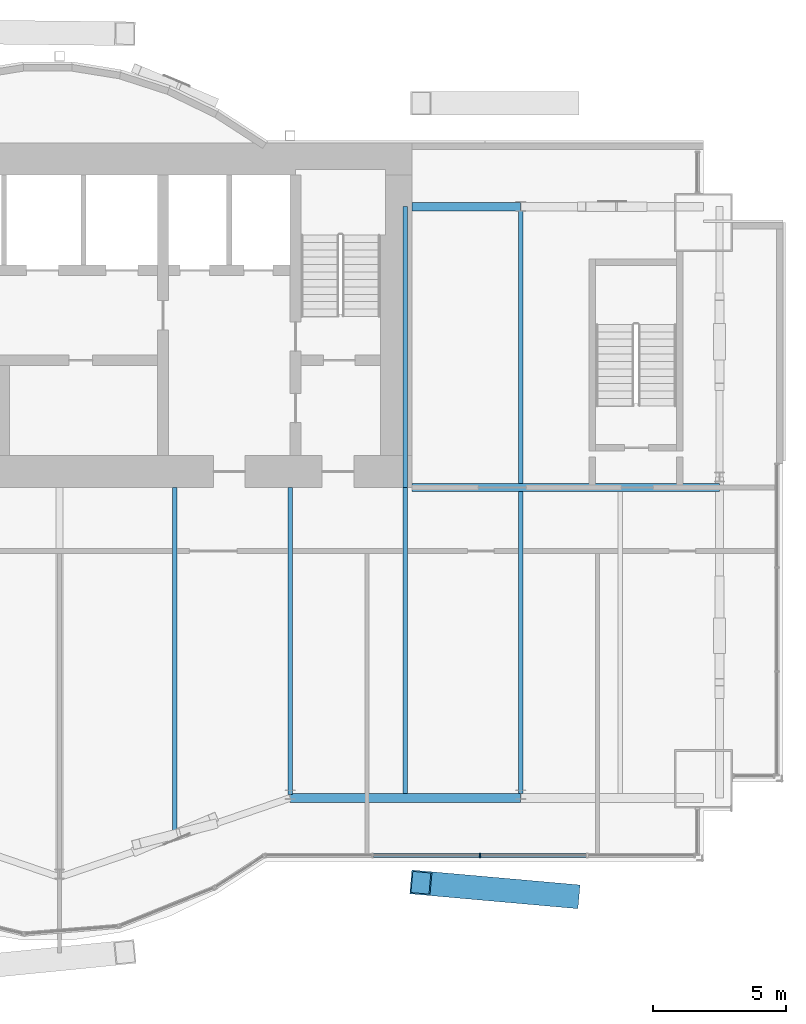
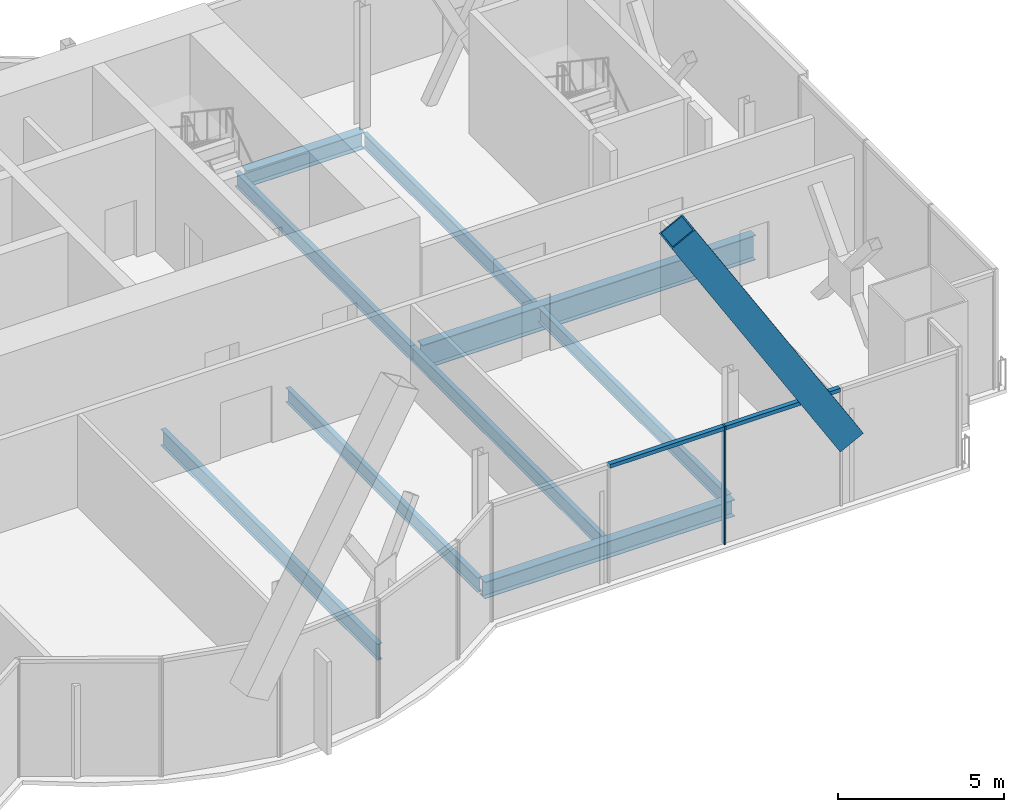
# One storey, part 9 of 19: 9 beams, 4 members, 1 element without a shape of its own.
"""IFC4 building model written with IfcOpenShell, lengths in metres."""

import ifcopenshell
import ifcopenshell.guid

model = None  # the IFC model being written
_history = None  # IfcOwnerHistory: only IFC2X3 demands one
_inside = {}  # id of a spatial element -> (the spatial element, [elements in it])
_under = {}  # id of a project, library or spatial element -> (it, [spatial elements below it])
_declared = {}  # id of a project -> (the project, [libraries it declares])
_typed = {}  # id of a type object -> (the type object, [elements of that type])
_made_of = {}  # id of a material, layer set ... -> (it, [elements and type objects made of it])


def new_model(schema):
    """Start an empty IFC model of exactly this schema.

    Asked for "IFC4X3", IfcOpenShell would pick the latest addendum, in which some entities
    have other attributes; the version numbers below select the first issue.
    IFC2X3 requires an IfcOwnerHistory on every rooted entity: one is made here for all.
    """
    global model, _history
    if schema == "IFC4X3":
        model = ifcopenshell.file(schema_version=(4, 3, 0, 0))
    else:
        model = ifcopenshell.file(schema=schema)
    _inside.clear()
    _under.clear()
    _declared.clear()
    _typed.clear()
    _made_of.clear()
    _history = None
    if model.schema == "IFC2X3":
        org = make("IfcOrganization", Name="unknown")
        user = make(
            "IfcPersonAndOrganization",
            ThePerson=make("IfcPerson", FamilyName="unknown"),
            TheOrganization=org,
        )
        app = make(
            "IfcApplication",
            ApplicationDeveloper=org,
            Version="unknown",
            ApplicationFullName="unknown",
            ApplicationIdentifier="unknown",
        )
        _history = make(
            "IfcOwnerHistory",
            OwningUser=user,
            OwningApplication=app,
            ChangeAction="ADDED",
            CreationDate=0,
        )
    return model


def make(cls, **values):
    """One entity of the class cls with the attributes given. An attribute that is None is left unset."""
    return model.create_entity(
        cls, **{name: value for name, value in values.items() if value is not None}
    )


def rooted(cls, **values):
    """An entity with a GlobalId (a new one), such as an element, a storey or a relation."""
    return make(cls, GlobalId=ifcopenshell.guid.new(), OwnerHistory=_history, **values)


def si_unit(unit_type, name, prefix=None):
    """IfcSIUnit, for example si_unit("LENGTHUNIT", "METRE", prefix="MILLI")."""
    return make("IfcSIUnit", UnitType=unit_type, Prefix=prefix, Name=name)


def assignment(units):
    """IfcUnitAssignment: the units of a project."""
    return None if units is None else make("IfcUnitAssignment", Units=units)


def point(xyz):
    """IfcCartesianPoint."""
    return None if xyz is None else make("IfcCartesianPoint", Coordinates=xyz)


def direction(xyz):
    """IfcDirection."""
    return None if xyz is None else make("IfcDirection", DirectionRatios=xyz)


def frame(location, z_axis=None, x_axis=None):
    """IfcAxis2Placement3D, a coordinate frame: its origin and axes. An axis left out is left unset."""
    return make(
        "IfcAxis2Placement3D",
        Location=point(location),
        Axis=direction(z_axis),
        RefDirection=direction(x_axis),
    )


def frame_2d(location, x_axis=None):
    """IfcAxis2Placement2D, a coordinate frame in the plane: its origin and x axis."""
    return make(
        "IfcAxis2Placement2D", Location=point(location), RefDirection=direction(x_axis)
    )


def origin():
    """The frame at (0, 0, 0) with its axes left unset."""
    return frame((0.0, 0.0, 0.0))


def origin_2d():
    """The frame at (0, 0) in the plane with its x axis left unset."""
    return frame_2d((0.0, 0.0))


def place(relative_to, where):
    """IfcLocalPlacement: puts the frame where relative to a parent placement (None: the world)."""
    return make(
        "IfcLocalPlacement", PlacementRelTo=relative_to, RelativePlacement=where
    )


def context(
    kind, dimensions, precision=None, world=None, true_north=None, identifier=None
):
    """IfcGeometricRepresentationContext, for example the 3D "Model" context."""
    return make(
        "IfcGeometricRepresentationContext",
        ContextIdentifier=identifier,
        ContextType=kind,
        CoordinateSpaceDimension=dimensions,
        Precision=precision,
        WorldCoordinateSystem=world,
        TrueNorth=true_north,
    )


def subcontext(parent, identifier, kind, view, scale=None):
    """IfcGeometricRepresentationSubContext, for example "Body" below "Model"."""
    return make(
        "IfcGeometricRepresentationSubContext",
        ContextIdentifier=identifier,
        ContextType=kind,
        ParentContext=parent,
        TargetScale=scale,
        TargetView=view,
    )


def project(units=None, contexts=None):
    """IfcProject with its units and contexts."""
    return rooted(
        "IfcProject",
        Name="project",
        RepresentationContexts=contexts,
        UnitsInContext=assignment(units),
    )


def spatial(cls, under=None, at=None, **own):
    """A site, building, storey or space (cls), placed at a placement, below another one or the project."""
    s = rooted(cls, ObjectPlacement=at, **own)
    if under is not None:
        _under.setdefault(under.id(), (under, []))[1].append(s)
    return s


def profile(cls, at=None, kind="AREA", **sizes):
    """A parametric profile (cls). Its sizes go by their IFC names, for example OverallWidth=200.0."""
    return make(cls, ProfileType=kind, Position=at, **sizes)


def rectangle(**sizes):
    """IfcRectangleProfileDef."""
    return profile("IfcRectangleProfileDef", **sizes)


def hollow_rectangle(**sizes):
    """IfcRectangleHollowProfileDef."""
    return profile("IfcRectangleHollowProfileDef", **sizes)


def i_section(**sizes):
    """IfcIShapeProfileDef."""
    return profile("IfcIShapeProfileDef", **sizes)


def extrude(swept, where, along, depth):
    """IfcExtrudedAreaSolid: the profile swept, set in the frame where, extruded along a direction by depth."""
    return make(
        "IfcExtrudedAreaSolid",
        SweptArea=swept,
        Position=where,
        ExtrudedDirection=direction(along),
        Depth=depth,
    )


def shape(context_of_items, identifier, shape_type, items):
    """IfcShapeRepresentation: the items that make up one representation, for example the "Body"."""
    return make(
        "IfcShapeRepresentation",
        ContextOfItems=context_of_items,
        RepresentationIdentifier=identifier,
        RepresentationType=shape_type,
        Items=items,
    )


def material(Name=None, Category=None):
    """IfcMaterial."""
    return make("IfcMaterial", Name=Name, Category=Category)


def material_profile(
    of_material, cross_section, Name=None, Category=None, Priority=None
):
    """IfcMaterialProfile: a cross section and its material."""
    return make(
        "IfcMaterialProfile",
        Name=Name,
        Material=of_material,
        Profile=cross_section,
        Priority=Priority,
        Category=Category,
    )


def profile_set(profiles, Name=None, composite=None):
    """IfcMaterialProfileSet."""
    return make(
        "IfcMaterialProfileSet",
        Name=Name,
        MaterialProfiles=profiles,
        CompositeProfile=composite,
    )


def made_of(thing, what):
    """Note that an element or type object is made of a material, layer set ...; save() writes the relation."""
    if what is not None:
        _made_of.setdefault(what.id(), (what, []))[1].append(thing)
    return thing


def type_object(cls, material=None, **own):
    """A type object (cls), such as IfcWallType, which elements share."""
    return made_of(rooted(cls, **own), material)


def element(
    cls,
    number,
    at=None,
    inside=None,
    cuts=None,
    type_object=None,
    material=None,
    context=None,
    identifier="Body",
    shape_type=None,
    held_by="IfcProductDefinitionShape",
    body=None,
    shapes=None,
    **own,
):
    """One element of the class cls, such as IfcWall. Its Tag is "e" and its number.

    at: its placement. inside: the storey or other place that contains it. cuts: it is an
    opening in that element (IfcRelVoidsElement). A single representation is given by context,
    identifier, shape_type and body (its items); several are given by shapes. held_by: the class
    of the entity that holds the representations. save() writes the other relations.
    """
    e = rooted(cls, Tag="e%d" % number, ObjectPlacement=at, **own)
    if body is not None:
        shapes = [shape(context, identifier, shape_type, body)]
    if shapes is not None:
        e.Representation = make(held_by, Representations=shapes)
    if inside is not None:
        _inside.setdefault(inside.id(), (inside, []))[1].append(e)
    if cuts is not None:
        rooted(
            "IfcRelVoidsElement", RelatingBuildingElement=cuts, RelatedOpeningElement=e
        )
    if type_object is not None:
        _typed.setdefault(type_object.id(), (type_object, []))[1].append(e)
    return made_of(e, material)


def aggregate(whole, parts):
    """IfcRelAggregates: a whole, such as a stair, and the parts it consists of."""
    return rooted("IfcRelAggregates", RelatingObject=whole, RelatedObjects=parts)


def save(model, path):
    """Write the relations noted so far, then the file.

    IfcRelAggregates (storeys below a building ...), IfcRelContainedInSpatialStructure (elements
    in a storey), IfcRelDefinesByType, IfcRelAssociatesMaterial and IfcRelDeclares: one each for
    every whole, place, type object, material and project.
    """
    for whole, parts in _under.values():
        aggregate(whole, parts)
    for where, things in _inside.values():
        rooted(
            "IfcRelContainedInSpatialStructure",
            RelatedElements=things,
            RelatingStructure=where,
        )
    for kind, things in _typed.values():
        rooted("IfcRelDefinesByType", RelatedObjects=things, RelatingType=kind)
    for what, things in _made_of.values():
        rooted("IfcRelAssociatesMaterial", RelatedObjects=things, RelatingMaterial=what)
    for by, libraries in _declared.values():
        rooted("IfcRelDeclares", RelatingContext=by, RelatedDefinitions=libraries)
    model.write(path)


model = new_model("IFC4")

# Units and contexts
model_context = context("Model", 3, precision=1e-05, world=origin(), true_north=direction((0.0, 1.0)))
body_context = subcontext(model_context, "Body", "Model", "MODEL_VIEW")
ifc_project = project(units=[si_unit("LENGTHUNIT", "METRE"), si_unit("AREAUNIT", "SQUARE_METRE"), si_unit("VOLUMEUNIT", "CUBIC_METRE"), si_unit("PLANEANGLEUNIT", "RADIAN"), si_unit("MASSUNIT", "GRAM", prefix="KILO")], contexts=[model_context])

# Site, building, storey
site_placement = place(None, origin())
site = spatial("IfcSite", under=ifc_project, at=site_placement, CompositionType="ELEMENT")
building_placement = place(site_placement, origin())
building = spatial("IfcBuilding", under=site, at=building_placement, Name="Bicima Exchange Tower", CompositionType="ELEMENT")
storey_placement = place(building_placement, frame((0.0, 0.0, 297.5)))
storey = spatial("IfcBuildingStorey", under=building, at=storey_placement, Name="L67", CompositionType="ELEMENT", Elevation=297.5)

# Beam
ifc_material_1 = material(Name="Steel ASTM A992 Gr 50", Category="steel")
ifc_material_profile_1 = material_profile(ifc_material_1, i_section(OverallWidth=0.3046875, OverallDepth=0.911865234375, WebThickness=0.015869140625, FlangeThickness=0.02392578125, at=origin_2d()))
ifc_profile_set_1 = profile_set([ifc_material_profile_1], Name="Steel ASTM A992 Gr 50")
beam_type_1 = type_object("IfcBeamType", Name="Core-line girder W36x150", PredefinedType="BEAM", material=ifc_profile_set_1)
beam_1_placement = place(storey_placement, frame((22.0, -13.0, -0.60595703125), z_axis=(1.0, 0.0, 0.0), x_axis=(0.0, 1.0, 0.0)))
element("IfcBeam", 1, at=beam_1_placement, inside=storey, type_object=beam_type_1, Name="Core-line girder", PredefinedType="BEAM", context=body_context, shape_type="SweptSolid", body=[
    extrude(i_section(OverallWidth=0.3046875, OverallDepth=0.911865234375, WebThickness=0.015869140625, FlangeThickness=0.02392578125, at=origin_2d()), origin(), (0.0, 0.0, 1.0), 11.60009765625),
])

# Member
ifc_material_2 = material(Name="Steel ASTM A572 Gr 50", Category="steel")
ifc_material_profile_2 = material_profile(ifc_material_2, hollow_rectangle(XDim=0.89990234375, YDim=0.89990234375, WallThickness=0.050048828125, at=origin_2d()))
ifc_profile_set_2 = profile_set([ifc_material_profile_2], Name="Steel ASTM A572 Gr 50")
member_type_1 = type_object("IfcMemberType", Name="Exo mega brace BOX 900x900x50", PredefinedType="BRACE", material=ifc_profile_set_2)
member_1_placement = place(storey_placement, frame((27.916748046875, -28.4130859375, 3.74169921875), z_axis=(-0.520686487189, 0.046217471316, 0.852496057119), x_axis=(-0.088414952813, -0.996083729472, 0.0)))
element("IfcMember", 2, at=member_1_placement, inside=storey, type_object=member_type_1, Name="Exo mega brace front", PredefinedType="BRACE", context=body_context, shape_type="SweptSolid", body=[
    extrude(hollow_rectangle(XDim=0.89990234375, YDim=0.89990234375, WallThickness=0.050048828125, at=origin_2d()), origin(), (0.0, 0.0, 1.0), 10.723388671875),
])

# Beams
ifc_material_profile_3 = material_profile(ifc_material_1, i_section(OverallWidth=0.165771484375, OverallDepth=0.5283203125, WebThickness=0.009765625, FlangeThickness=0.013671875, at=origin_2d()))
ifc_profile_set_3 = profile_set([ifc_material_profile_3], Name="Steel ASTM A992 Gr 50")
beam_type_2 = type_object("IfcBeamType", Name="Floor beam W21x50", PredefinedType="JOIST", material=ifc_profile_set_3)
beam_2_placement = place(storey_placement, frame((17.39990234375, -13.0, -0.414306640625), z_axis=(0.0, -1.0, 0.0), x_axis=(1.0, 0.0, 0.0)))
element("IfcBeam", 3, at=beam_2_placement, inside=storey, type_object=beam_type_2, Name="Floor beam", PredefinedType="JOIST", context=body_context, shape_type="SweptSolid", body=[
    extrude(i_section(OverallWidth=0.165771484375, OverallDepth=0.5283203125, WebThickness=0.009765625, FlangeThickness=0.013671875, at=origin_2d()), origin(), (0.0, 0.0, 1.0), 11.580322265625),
])
beam_3_placement = place(storey_placement, frame((21.75, -2.39990234375, -0.414306640625), z_axis=(0.0, -1.0, 0.0), x_axis=(1.0, 0.0, 0.0)))
element("IfcBeam", 4, at=beam_3_placement, inside=storey, type_object=beam_type_2, Name="Floor beam", PredefinedType="JOIST", context=body_context, shape_type="SweptSolid", body=[
    extrude(i_section(OverallWidth=0.165771484375, OverallDepth=0.5283203125, WebThickness=0.009765625, FlangeThickness=0.013671875, at=origin_2d()), origin(), (0.0, 0.0, 1.0), 10.60009765625),
])
beam_4_placement = place(storey_placement, frame((21.75, -13.0, -0.414306640625), z_axis=(0.0, -1.0, 0.0), x_axis=(1.0, 0.0, 0.0)))
element("IfcBeam", 5, at=beam_4_placement, inside=storey, type_object=beam_type_2, Name="Floor beam", PredefinedType="JOIST", context=body_context, shape_type="SweptSolid", body=[
    extrude(i_section(OverallWidth=0.165771484375, OverallDepth=0.5283203125, WebThickness=0.009765625, FlangeThickness=0.013671875, at=origin_2d()), origin(), (0.0, 0.0, 1.0), 11.553466796875),
])
beam_5_placement = place(storey_placement, frame((26.10009765625, -2.5625, -0.414306640625), z_axis=(0.0, -1.0, 0.0), x_axis=(1.0, 0.0, 0.0)))
element("IfcBeam", 6, at=beam_5_placement, inside=storey, type_object=beam_type_2, Name="Floor beam", PredefinedType="JOIST", context=body_context, shape_type="SweptSolid", body=[
    extrude(i_section(OverallWidth=0.165771484375, OverallDepth=0.5283203125, WebThickness=0.009765625, FlangeThickness=0.013671875, at=origin_2d()), origin(), (0.0, 0.0, 1.0), 10.28515625),
])
beam_6_placement = place(storey_placement, frame((26.10009765625, -13.15234375, -0.414306640625), z_axis=(0.0, -1.0, 0.0), x_axis=(1.0, 0.0, 0.0)))
element("IfcBeam", 7, at=beam_6_placement, inside=storey, type_object=beam_type_2, Name="Floor beam", PredefinedType="JOIST", context=body_context, shape_type="SweptSolid", body=[
    extrude(i_section(OverallWidth=0.165771484375, OverallDepth=0.5283203125, WebThickness=0.009765625, FlangeThickness=0.013671875, at=origin_2d()), origin(), (0.0, 0.0, 1.0), 11.401123046875),
])
ifc_material_profile_4 = material_profile(ifc_material_1, i_section(OverallWidth=0.177978515625, OverallDepth=0.599365234375, WebThickness=0.010009765625, FlangeThickness=0.012939453125, at=origin_2d()))
ifc_profile_set_4 = profile_set([ifc_material_profile_4], Name="Steel ASTM A992 Gr 50")
beam_type_3 = type_object("IfcBeamType", Name="Floor beam W24x55", PredefinedType="JOIST", material=ifc_profile_set_4)
beam_7_placement = place(storey_placement, frame((13.050048828125, -13.0, -0.44970703125), z_axis=(0.0, -1.0, 0.0), x_axis=(1.0, 0.0, 0.0)))
element("IfcBeam", 8, at=beam_7_placement, inside=storey, type_object=beam_type_3, Name="Floor beam", PredefinedType="JOIST", context=body_context, shape_type="SweptSolid", body=[
    extrude(i_section(OverallWidth=0.177978515625, OverallDepth=0.599365234375, WebThickness=0.010009765625, FlangeThickness=0.012939453125, at=origin_2d()), origin(), (0.0, 0.0, 1.0), 13.075927734375),
])
ifc_material_profile_5 = material_profile(ifc_material_1, i_section(OverallWidth=0.3251953125, OverallDepth=0.612060546875, WebThickness=0.0126953125, FlangeThickness=0.01904296875, at=origin_2d()))
ifc_profile_set_5 = profile_set([ifc_material_profile_5], Name="Steel ASTM A992 Gr 50")
beam_type_4 = type_object("IfcBeamType", Name="Front girder W24x104", PredefinedType="BEAM", material=ifc_profile_set_5)
beam_8_placement = place(storey_placement, frame((17.39990234375, -24.716064453125, -0.4560546875), z_axis=(1.0, 0.0, 0.0), x_axis=(0.0, 1.0, 0.0)))
element("IfcBeam", 9, at=beam_8_placement, inside=storey, type_object=beam_type_4, Name="Front girder", PredefinedType="BEAM", context=body_context, shape_type="SweptSolid", body=[
    extrude(i_section(OverallWidth=0.3251953125, OverallDepth=0.612060546875, WebThickness=0.0126953125, FlangeThickness=0.01904296875, at=origin_2d()), origin(), (0.0, 0.0, 1.0), 8.7001953125),
])

# Curtain wall, members
ifc_material_3 = material(Name="Anodised bronze aluminium", Category="aluminium")
curtain_wall_type = type_object("IfcCurtainWallType", Name="Front glass wall", PredefinedType="NOTDEFINED", material=ifc_material_3)
curtain_wall_placement = place(storey_placement, origin())
curtain_wall = element("IfcCurtainWall", 10, at=curtain_wall_placement, inside=storey, type_object=curtain_wall_type, Name="Front glass wall L67 run 16", PredefinedType="NOTDEFINED")
ifc_material_profile_6 = material_profile(ifc_material_3, rectangle(XDim=0.159912109375, YDim=0.06005859375, at=origin_2d()))
ifc_profile_set_6 = profile_set([ifc_material_profile_6], Name="Anodised bronze aluminium")
member_type_2 = type_object("IfcMemberType", Name="Front glass wall mullion 60 x 160", PredefinedType="MULLION", material=ifc_profile_set_6)
member_2_placement = place(storey_placement, frame((24.56103515625, -26.885986328125, 0.0), z_axis=(0.0, 0.0, 1.0), x_axis=(0.0, 1.0, 0.0)))
member_2 = element("IfcMember", 11, at=member_2_placement, type_object=member_type_2, Name="Front glass wall mullion 3", PredefinedType="MULLION", context=body_context, shape_type="SweptSolid", body=[
    extrude(rectangle(XDim=0.159912109375, YDim=0.06005859375, at=origin_2d()), origin(), (0.0, 0.0, 1.0), 4.35009765625),
])
ifc_material_profile_7 = material_profile(ifc_material_3, rectangle(XDim=0.159912109375, YDim=0.139892578125, at=origin_2d()))
ifc_profile_set_7 = profile_set([ifc_material_profile_7], Name="Anodised bronze aluminium")
member_type_3 = type_object("IfcMemberType", Name="Front glass wall transom 140 x 160", PredefinedType="USERDEFINED", material=ifc_profile_set_7)
member_3_placement = place(storey_placement, frame((20.54150390625, -26.885986328125, 4.280029296875), z_axis=(1.0, 0.0, 0.0), x_axis=(0.0, 1.0, 0.0)))
member_3 = element("IfcMember", 12, at=member_3_placement, type_object=member_type_3, Name="Front glass wall transom 2.1", ObjectType="TRANSOM", PredefinedType="USERDEFINED", context=body_context, shape_type="SweptSolid", body=[
    extrude(rectangle(XDim=0.159912109375, YDim=0.139892578125, at=origin_2d()), origin(), (0.0, 0.0, 1.0), 3.989501953125),
])
member_4_placement = place(storey_placement, frame((24.591064453125, -26.885986328125, 4.280029296875), z_axis=(1.0, 0.0, 0.0), x_axis=(0.0, 1.0, 0.0)))
member_4 = element("IfcMember", 13, at=member_4_placement, type_object=member_type_3, Name="Front glass wall transom 3.1", ObjectType="TRANSOM", PredefinedType="USERDEFINED", context=body_context, shape_type="SweptSolid", body=[
    extrude(rectangle(XDim=0.159912109375, YDim=0.139892578125, at=origin_2d()), origin(), (0.0, 0.0, 1.0), 3.989501953125),
])
aggregate(curtain_wall, [member_2, member_3, member_4])

# Beam
beam_type_5 = type_object("IfcBeamType", Name="Rear girder W24x104", PredefinedType="BEAM", material=ifc_profile_set_5)
beam_9_placement = place(storey_placement, frame((22.0, -2.39990234375, -0.4560546875), z_axis=(1.0, 0.0, 0.0), x_axis=(0.0, 1.0, 0.0)))
element("IfcBeam", 14, at=beam_9_placement, inside=storey, type_object=beam_type_5, Name="Rear girder", PredefinedType="BEAM", context=body_context, shape_type="SweptSolid", body=[
    extrude(i_section(OverallWidth=0.3251953125, OverallDepth=0.612060546875, WebThickness=0.0126953125, FlangeThickness=0.01904296875, at=origin_2d()), origin(), (0.0, 0.0, 1.0), 4.10009765625),
])

save(model, "model.ifc")
